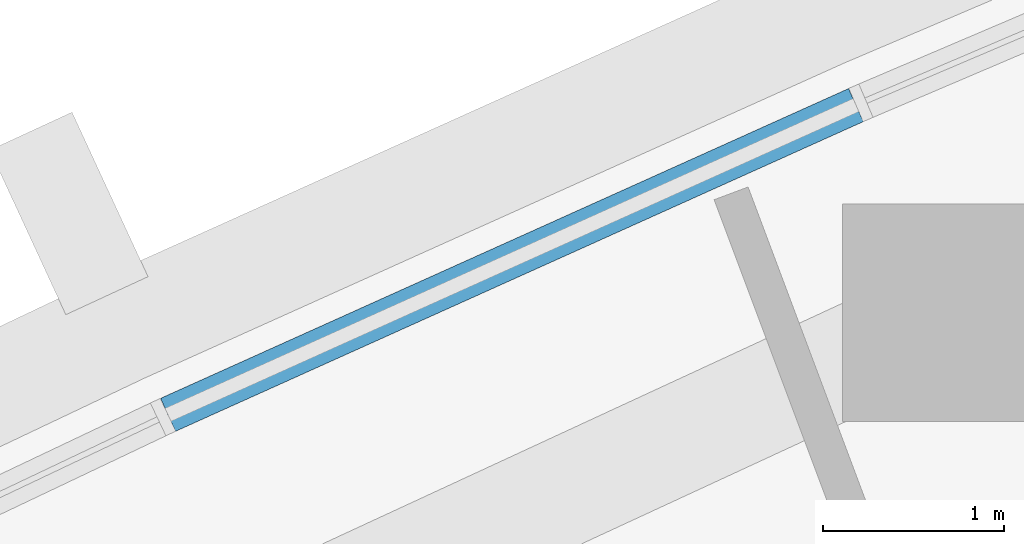
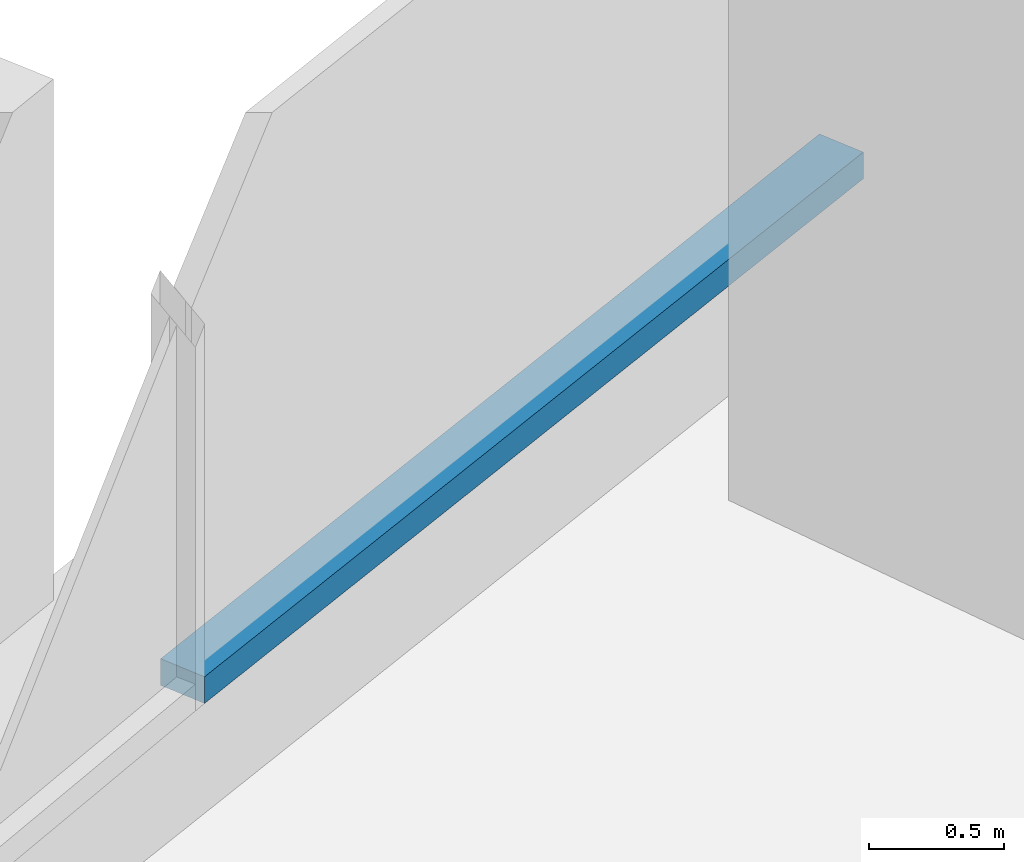
# One storey, part 3 of 16: 1 member, 1 element without a shape of its own.
"""IFC4 building model written with IfcOpenShell, lengths in metres."""

from ifc_helpers import new_model, si_unit, direction, frame, origin, origin_2d, place, context, subcontext, project, spatial, rectangle, extrude, material, layer, layer_set, material_profile, profile_set, type_object, element, aggregate, save


model = new_model("IFC4")

# Units and contexts
model_context = context("Model", 3, precision=1e-05, world=origin(), true_north=direction((0.0, 1.0)))
body_context = subcontext(model_context, "Body", "Model", "MODEL_VIEW")
ifc_project = project(units=[si_unit("LENGTHUNIT", "METRE"), si_unit("AREAUNIT", "SQUARE_METRE"), si_unit("VOLUMEUNIT", "CUBIC_METRE"), si_unit("PLANEANGLEUNIT", "RADIAN"), si_unit("MASSUNIT", "GRAM", prefix="KILO")], contexts=[model_context])

# Site, building, storey
site_placement = place(None, origin())
site = spatial("IfcSite", under=ifc_project, at=site_placement, CompositionType="ELEMENT")
building_placement = place(site_placement, origin())
building = spatial("IfcBuilding", under=site, at=building_placement, Name="Ostrand Prow Hotel Tower", CompositionType="ELEMENT")
storey_placement = place(building_placement, frame((0.0, 0.0, 224.35009765625)))
storey = spatial("IfcBuildingStorey", under=building, at=storey_placement, Name="L56", CompositionType="ELEMENT", Elevation=224.35009765625)

# Curtain wall, member
ifc_material_1 = material(Name="Insulated glass in bronze anodised frame", Category="glass")
ifc_layer = layer(ifc_material_1, 0.199951171875)
ifc_layer_set = layer_set([ifc_layer], Name="Insulated glass in bronze anodised frame")
curtain_wall_type = type_object("IfcCurtainWallType", Name="Strip curtain wall, fritted glass over bronze spandrel", PredefinedType="NOTDEFINED", material=ifc_layer_set)
curtain_wall_placement = place(storey_placement, origin())
curtain_wall = element("IfcCurtainWall", 1, at=curtain_wall_placement, inside=storey, type_object=curtain_wall_type, Name="CW1 run CWN5", PredefinedType="NOTDEFINED")
ifc_material_2 = material(Name="Bronze anodised aluminium", Category="aluminium")
ifc_material_profile = material_profile(ifc_material_2, rectangle(XDim=0.199951171875, YDim=0.1201171875, at=origin_2d()), Name="Transom 120x200 bronze anodised aluminium")
ifc_profile_set = profile_set([ifc_material_profile], Name="Bronze anodised aluminium")
member_type = type_object("IfcMemberType", Name="Transom 120x200 bronze anodised aluminium", PredefinedType="USERDEFINED", material=ifc_profile_set)
member_placement = place(storey_placement, frame((20.53271484375, 10.10400390625, 0.9599609375), z_axis=(-0.911832617051, -0.410562149353, 0.0), x_axis=(0.410562149353, -0.911832617051, 0.0)))
member = element("IfcMember", 2, at=member_placement, type_object=member_type, Name="CW1 transom 1.1", ObjectType="TRANSOM", PredefinedType="USERDEFINED", context=body_context, shape_type="SweptSolid", body=[
    extrude(rectangle(XDim=0.199951171875, YDim=0.1201171875, at=origin_2d()), origin(), (0.0, 0.0, 1.0), 4.163818359375),
])
aggregate(curtain_wall, [member])

save(model, "model.ifc")
